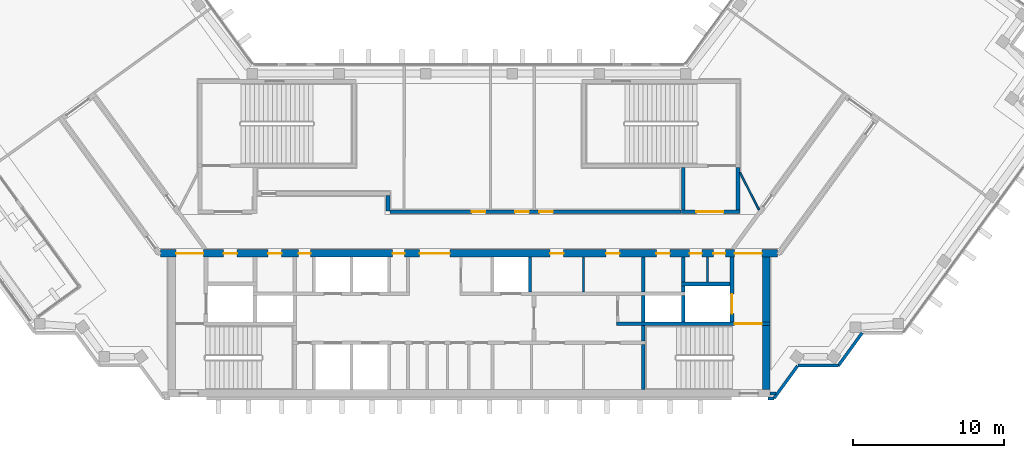
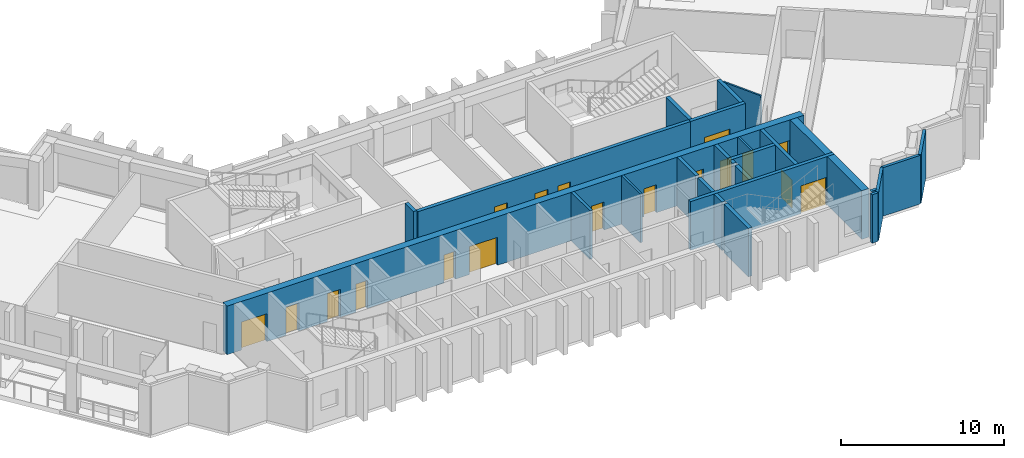
# One storey, part 7 of 10: 27 walls, 18 doors, 18 openings.
"""IFC4 building model written with IfcOpenShell, lengths in metres."""

from ifc_helpers import new_model, si_unit, direction, frame, frame_2d, origin, place, context, subcontext, project, spatial, rectangle, extrude, material, layer, layer_set, type_object, element, fill, save


model = new_model("IFC4")

# Units and contexts
model_context = context("Model", 3, precision=1e-05, world=origin(), true_north=direction((0.0, 1.0)))
body_context = subcontext(model_context, "Body", "Model", "MODEL_VIEW")
ifc_project = project(units=[si_unit("LENGTHUNIT", "METRE"), si_unit("AREAUNIT", "SQUARE_METRE"), si_unit("VOLUMEUNIT", "CUBIC_METRE"), si_unit("PLANEANGLEUNIT", "RADIAN"), si_unit("MASSUNIT", "GRAM", prefix="KILO")], contexts=[model_context])

# Site, building, storey
site_placement = place(None, origin())
site = spatial("IfcSite", under=ifc_project, at=site_placement, CompositionType="ELEMENT")
building_placement = place(site_placement, origin())
building = spatial("IfcBuilding", under=site, at=building_placement, Name="Quipu Civic Tower", CompositionType="ELEMENT")
storey_placement = place(building_placement, frame((0.0, 0.0, 261.0)))
storey = spatial("IfcBuildingStorey", under=building, at=storey_placement, Name="L61", CompositionType="ELEMENT", Elevation=261.0)

# Walls
ifc_material_1 = material(Name="Concrete C70/85", Category="concrete")
ifc_layer_1 = layer(ifc_material_1, 0.25)
ifc_layer_set_1 = layer_set([ifc_layer_1], Name="Concrete C70/85")
wall_type_1 = type_object("IfcWallType", Name="Core wall 250", PredefinedType="SHEAR", material=ifc_layer_set_1)
wall_1_placement = place(storey_placement, frame((11.574951171875, -10.5, 0.0), z_axis=(0.0, 0.0, 1.0), x_axis=(0.0, 1.0, 0.0)))
element("IfcWall", 1, at=wall_1_placement, inside=storey, type_object=wall_type_1, Name="Core wall", PredefinedType="SHEAR", context=body_context, shape_type="SweptSolid", body=[
    extrude(rectangle(XDim=3.0, YDim=0.25, at=frame_2d((1.5, 0.0))), origin(), (0.0, 0.0, 1.0), 3.64990234375),
])
wall_2_placement = place(storey_placement, frame((11.574951171875, -7.25, 0.0), z_axis=(0.0, 0.0, 1.0), x_axis=(0.0, 1.0, 0.0)))
element("IfcWall", 2, at=wall_2_placement, inside=storey, type_object=wall_type_1, Name="Core wall", PredefinedType="SHEAR", context=body_context, shape_type="SweptSolid", body=[
    extrude(rectangle(XDim=1.0, YDim=0.25, at=frame_2d((0.5, 0.0))), origin(), (0.0, 0.0, 1.0), 3.64990234375),
])

# Wall, opening, door
wall_3_placement = place(storey_placement, frame((20.0, -6.125, 0.0), z_axis=(0.0, 0.0, 1.0), x_axis=(-1.0, 0.0, 0.0)))
wall_3 = element("IfcWall", 3, at=wall_3_placement, inside=storey, type_object=wall_type_1, Name="Core wall", PredefinedType="SHEAR", context=body_context, shape_type="SweptSolid", body=[
    extrude(rectangle(XDim=10.199951171875, YDim=0.25, at=frame_2d((5.10009765625, 0.0))), origin(), (0.0, 0.0, 1.0), 3.64990234375),
])
opening_1_placement = place(wall_3_placement, frame((0.550048828125, 0.0, 0.0)))
opening_1 = element("IfcOpeningElement", 4, at=opening_1_placement, cuts=wall_3, Name="Opening CD-11", PredefinedType="OPENING", context=body_context, shape_type="SweptSolid", body=[
    extrude(rectangle(XDim=1.800048828125, YDim=2.10009765625, at=frame_2d((0.89990234375, 1.050048828125))), frame((0.0, 0.135009765625, 0.0), z_axis=(0.0, -1.0, 0.0), x_axis=(1.0, 0.0, 0.0)), (0.0, 0.0, 1.0), 0.27001953125),
])
ifc_material_2 = material(Name="Fire rated steel door", Category="steel")
door_type_1 = type_object("IfcDoorType", Name="Fire door FD90 double 1800 x 2100", OperationType="NOTDEFINED", PredefinedType="DOOR", material=ifc_material_2)
door_1_placement = place(opening_1_placement, origin())
door_1 = element("IfcDoor", 5, at=door_1_placement, inside=storey, type_object=door_type_1, Name="Door", OperationType="DOUBLE_DOOR_SINGLE_SWING", OverallHeight=2.10009765625, OverallWidth=1.800048828125, PredefinedType="DOOR", context=body_context, shape_type="SweptSolid", body=[
    extrude(rectangle(XDim=1.800048828125, YDim=2.10009765625, at=frame_2d((0.89990234375, 1.050048828125))), frame((0.0, 0.02490234375, 0.0), z_axis=(0.0, -1.0, 0.0), x_axis=(1.0, 0.0, 0.0)), (0.0, 0.0, 1.0), 0.050048828125),
])
fill(opening_1, door_1)

# Walls
for number, where, z_axis, x_axis, name in (
    (6, (11.574951171875, -6.0, 0.0), (0.0, 0.0, 1.0), (0.0, 1.0, 0.0), "Core wall"),
    (7, (14.22509765625, -6.0, 0.0), (0.0, 0.0, 1.0), (0.0, 1.0, 0.0), "Core wall"),
):
    element("IfcWall", number, at=place(storey_placement, frame(where, z_axis=z_axis, x_axis=x_axis)), inside=storey, type_object=wall_type_1, Name=name, PredefinedType="SHEAR", context=body_context, shape_type="SweptSolid", body=[
        extrude(rectangle(XDim=1.75, YDim=0.25, at=frame_2d((0.875, 0.0))), origin(), (0.0, 0.0, 1.0), 3.64990234375),
    ])

# Wall, opening, door
wall_4_placement = place(storey_placement, frame((17.47509765625, -6.0, 0.0), z_axis=(0.0, 0.0, 1.0), x_axis=(0.0, 1.0, 0.0)))
wall_4 = element("IfcWall", 8, at=wall_4_placement, inside=storey, type_object=wall_type_1, Name="Core wall", PredefinedType="SHEAR", context=body_context, shape_type="SweptSolid", body=[
    extrude(rectangle(XDim=4.300048828125, YDim=0.25, at=frame_2d((2.14990234375, 0.0))), origin(), (0.0, 0.0, 1.0), 3.64990234375),
])
opening_2_placement = place(wall_4_placement, frame((0.550048828125, 0.0, 0.0)))
opening_2 = element("IfcOpeningElement", 9, at=opening_2_placement, cuts=wall_4, Name="Opening LD-FF2", PredefinedType="OPENING", context=body_context, shape_type="SweptSolid", body=[
    extrude(rectangle(XDim=1.300048828125, YDim=2.10009765625, at=frame_2d((0.64990234375, 1.050048828125))), frame((0.0, 0.135009765625, 0.0), z_axis=(0.0, -1.0, 0.0), x_axis=(1.0, 0.0, 0.0)), (0.0, 0.0, 1.0), 0.27001953125),
])
ifc_material_3 = material(Name="Stainless steel", Category="steel")
door_type_2 = type_object("IfcDoorType", Name="Lift landing door 1300 x 2100", OperationType="DOUBLE_DOOR_SLIDING", PredefinedType="DOOR", material=ifc_material_3)
door_2_placement = place(opening_2_placement, origin())
door_2 = element("IfcDoor", 10, at=door_2_placement, inside=storey, type_object=door_type_2, Name="Landing door FF2", OperationType="DOUBLE_DOOR_SLIDING", OverallHeight=2.10009765625, OverallWidth=1.300048828125, PredefinedType="DOOR", context=body_context, shape_type="SweptSolid", body=[
    extrude(rectangle(XDim=1.300048828125, YDim=2.10009765625, at=frame_2d((0.64990234375, 1.050048828125))), frame((0.0, 0.02490234375, 0.0), z_axis=(0.0, -1.0, 0.0), x_axis=(1.0, 0.0, 0.0)), (0.0, 0.0, 1.0), 0.050048828125),
])
fill(opening_2, door_2)

# Walls
wall_5_placement = place(storey_placement, frame((11.574951171875, -4.0, 0.0), z_axis=(0.0, 0.0, 1.0), x_axis=(0.0, 1.0, 0.0)))
element("IfcWall", 11, at=wall_5_placement, inside=storey, type_object=wall_type_1, Name="Core wall", PredefinedType="SHEAR", context=body_context, shape_type="SweptSolid", body=[
    extrude(rectangle(XDim=2.300048828125, YDim=0.25, at=frame_2d((1.14990234375, 0.0))), origin(), (0.0, 0.0, 1.0), 3.64990234375),
])
wall_6_placement = place(storey_placement, frame((14.22509765625, -4.0, 0.0), z_axis=(0.0, 0.0, 1.0), x_axis=(0.0, 1.0, 0.0)))
element("IfcWall", 12, at=wall_6_placement, inside=storey, type_object=wall_type_1, Name="Core wall", PredefinedType="SHEAR", context=body_context, shape_type="SweptSolid", body=[
    extrude(rectangle(XDim=0.39990234375, YDim=0.25, at=frame_2d((0.199951171875, 0.0))), origin(), (0.0, 0.0, 1.0), 3.64990234375),
])
wall_7_placement = place(storey_placement, frame((14.10009765625, -3.47509765625, 0.0), z_axis=(0.0, 0.0, 1.0), x_axis=(1.0, 0.0, 0.0)))
element("IfcWall", 13, at=wall_7_placement, inside=storey, type_object=wall_type_1, Name="Core wall", PredefinedType="SHEAR", context=body_context, shape_type="SweptSolid", body=[
    extrude(rectangle(XDim=3.25, YDim=0.25, at=frame_2d((1.625, 0.0))), origin(), (0.0, 0.0, 1.0), 3.64990234375),
])
wall_8_placement = place(storey_placement, frame((14.22509765625, -3.35009765625, 0.0), z_axis=(0.0, 0.0, 1.0), x_axis=(0.0, 1.0, 0.0)))
element("IfcWall", 14, at=wall_8_placement, inside=storey, type_object=wall_type_1, Name="Core wall", PredefinedType="SHEAR", context=body_context, shape_type="SweptSolid", body=[
    extrude(rectangle(XDim=1.650146484375, YDim=0.25, at=frame_2d((0.8251953125, 0.0))), origin(), (0.0, 0.0, 1.0), 3.64990234375),
])

# Wall, opening, door
wall_9_placement = place(storey_placement, frame((14.10009765625, 1.324951171875, 0.0), z_axis=(0.0, 0.0, 1.0), x_axis=(1.0, 0.0, 0.0)))
wall_9 = element("IfcWall", 15, at=wall_9_placement, inside=storey, type_object=wall_type_1, Name="Core wall", PredefinedType="SHEAR", context=body_context, shape_type="SweptSolid", body=[
    extrude(rectangle(XDim=3.89990234375, YDim=0.25, at=frame_2d((1.949951171875, 0.0))), origin(), (0.0, 0.0, 1.0), 3.64990234375),
])
opening_3_placement = place(wall_9_placement, frame((1.0, 0.0, 0.0)))
opening_3 = element("IfcOpeningElement", 16, at=opening_3_placement, cuts=wall_9, Name="Opening CD-29", PredefinedType="OPENING", context=body_context, shape_type="SweptSolid", body=[
    extrude(rectangle(XDim=1.800048828125, YDim=2.10009765625, at=frame_2d((0.89990234375, 1.050048828125))), frame((0.0, 0.135009765625, 0.0), z_axis=(0.0, -1.0, 0.0), x_axis=(1.0, 0.0, 0.0)), (0.0, 0.0, 1.0), 0.27001953125),
])
door_3_placement = place(opening_3_placement, origin())
door_3 = element("IfcDoor", 17, at=door_3_placement, inside=storey, type_object=door_type_1, Name="Lobby door", OperationType="DOUBLE_DOOR_SINGLE_SWING", OverallHeight=2.10009765625, OverallWidth=1.800048828125, PredefinedType="DOOR", context=body_context, shape_type="SweptSolid", body=[
    extrude(rectangle(XDim=1.800048828125, YDim=2.10009765625, at=frame_2d((0.89990234375, 1.050048828125))), frame((0.0, 0.02490234375, 0.0), z_axis=(0.0, -1.0, 0.0), x_axis=(1.0, 0.0, 0.0)), (0.0, 0.0, 1.0), 0.050048828125),
])
fill(opening_3, door_3)

# Walls
for number, where, z_axis, x_axis, name in (
    (18, (14.22509765625, 1.449951171875, 0.0), (0.0, 0.0, 1.0), (0.0, 1.0, 0.0), "Core wall"),
    (19, (17.875, 1.449951171875, 0.0), (0.0, 0.0, 1.0), (0.0, 1.0, 0.0), "Core wall"),
):
    element("IfcWall", number, at=place(storey_placement, frame(where, z_axis=z_axis, x_axis=x_axis)), inside=storey, type_object=wall_type_1, Name=name, PredefinedType="SHEAR", context=body_context, shape_type="SweptSolid", body=[
        extrude(rectangle(XDim=2.800048828125, YDim=0.25, at=frame_2d((1.39990234375, 0.0))), origin(), (0.0, 0.0, 1.0), 3.64990234375),
    ])
ifc_material_4 = material(Name="Concrete C70/85", Category="concrete")
ifc_layer_2 = layer(ifc_material_4, 0.5)
ifc_layer_set_2 = layer_set([ifc_layer_2], Name="Concrete C70/85")
wall_type_2 = type_object("IfcWallType", Name="Core wall 500", PredefinedType="SHEAR", material=ifc_layer_set_2)
wall_10_placement = place(storey_placement, frame((19.75, -10.5, 0.0), z_axis=(0.0, 0.0, 1.0), x_axis=(0.0, 1.0, 0.0)))
element("IfcWall", 20, at=wall_10_placement, inside=storey, type_object=wall_type_2, Name="Core wall", PredefinedType="SHEAR", context=body_context, shape_type="SweptSolid", body=[
    extrude(rectangle(XDim=4.25, YDim=0.5, at=frame_2d((2.125, 0.0))), origin(), (0.0, 0.0, 1.0), 3.64990234375),
])
wall_11_placement = place(storey_placement, frame((19.75, -6.0, 0.0), z_axis=(0.0, 0.0, 1.0), x_axis=(0.0, 1.0, 0.0)))
element("IfcWall", 21, at=wall_11_placement, inside=storey, type_object=wall_type_2, Name="Core wall", PredefinedType="SHEAR", context=body_context, shape_type="SweptSolid", body=[
    extrude(rectangle(XDim=4.300048828125, YDim=0.5, at=frame_2d((2.14990234375, 0.0))), origin(), (0.0, 0.0, 1.0), 3.64990234375),
])

# Wall, openings, doors
wall_12_placement = place(storey_placement, frame((20.489990234375, -1.449951171875, 0.0), z_axis=(0.0, 0.0, 1.0), x_axis=(-1.0, 0.0, 0.0)))
wall_12 = element("IfcWall", 22, at=wall_12_placement, inside=storey, type_object=wall_type_2, Name="Core wall", PredefinedType="SHEAR", context=body_context, shape_type="SweptSolid", body=[
    extrude(rectangle(XDim=40.97998046875, YDim=0.5, at=frame_2d((20.489990234375, 0.0))), origin(), (0.0, 0.0, 1.0), 3.64990234375),
])
opening_4_placement = place(wall_12_placement, frame((38.139892578125, 0.0, 0.0)))
opening_4 = element("IfcOpeningElement", 23, at=opening_4_placement, cuts=wall_12, Name="Opening CD-15", PredefinedType="OPENING", context=body_context, shape_type="SweptSolid", body=[
    extrude(rectangle(XDim=1.800048828125, YDim=2.10009765625, at=frame_2d((0.89990234375, 1.050048828125))), frame((0.0, 0.260009765625, 0.0), z_axis=(0.0, -1.0, 0.0), x_axis=(1.0, 0.0, 0.0)), (0.0, 0.0, 1.0), 0.52001953125),
])
opening_5_placement = place(wall_12_placement, frame((35.889892578125, 0.0, 0.0)))
opening_5 = element("IfcOpeningElement", 24, at=opening_5_placement, cuts=wall_12, Name="Opening CD-16", PredefinedType="OPENING", context=body_context, shape_type="SweptSolid", body=[
    extrude(rectangle(XDim=0.89990234375, YDim=2.10009765625, at=frame_2d((0.449951171875, 1.050048828125))), frame((0.0, 0.260009765625, 0.0), z_axis=(0.0, -1.0, 0.0), x_axis=(1.0, 0.0, 0.0)), (0.0, 0.0, 1.0), 0.52001953125),
])
opening_6_placement = place(wall_12_placement, frame((32.93994140625, 0.0, 0.0)))
opening_6 = element("IfcOpeningElement", 25, at=opening_6_placement, cuts=wall_12, Name="Opening CD-17", PredefinedType="OPENING", context=body_context, shape_type="SweptSolid", body=[
    extrude(rectangle(XDim=0.89990234375, YDim=2.10009765625, at=frame_2d((0.449951171875, 1.050048828125))), frame((0.0, 0.260009765625, 0.0), z_axis=(0.0, -1.0, 0.0), x_axis=(1.0, 0.0, 0.0)), (0.0, 0.0, 1.0), 0.52001953125),
])
opening_7_placement = place(wall_12_placement, frame((31.014892578125, 0.0, 0.0)))
opening_7 = element("IfcOpeningElement", 26, at=opening_7_placement, cuts=wall_12, Name="Opening CD-18", PredefinedType="OPENING", context=body_context, shape_type="SweptSolid", body=[
    extrude(rectangle(XDim=0.800048828125, YDim=2.10009765625, at=frame_2d((0.39990234375, 1.050048828125))), frame((0.0, 0.260009765625, 0.0), z_axis=(0.0, -1.0, 0.0), x_axis=(1.0, 0.0, 0.0)), (0.0, 0.0, 1.0), 0.52001953125),
])
opening_8_placement = place(wall_12_placement, frame((24.764892578125, 0.0, 0.0)))
opening_8 = element("IfcOpeningElement", 27, at=opening_8_placement, cuts=wall_12, Name="Opening CD-19", PredefinedType="OPENING", context=body_context, shape_type="SweptSolid", body=[
    extrude(rectangle(XDim=0.800048828125, YDim=2.10009765625, at=frame_2d((0.39990234375, 1.050048828125))), frame((0.0, 0.260009765625, 0.0), z_axis=(0.0, -1.0, 0.0), x_axis=(1.0, 0.0, 0.0)), (0.0, 0.0, 1.0), 0.52001953125),
])
opening_9_placement = place(wall_12_placement, frame((21.764892578125, 0.0, 0.0)))
opening_9 = element("IfcOpeningElement", 28, at=opening_9_placement, cuts=wall_12, Name="Opening CD-20", PredefinedType="OPENING", context=body_context, shape_type="SweptSolid", body=[
    extrude(rectangle(XDim=2.0, YDim=2.10009765625, at=frame_2d((1.0, 1.050048828125))), frame((0.0, 0.260009765625, 0.0), z_axis=(0.0, -1.0, 0.0), x_axis=(1.0, 0.0, 0.0)), (0.0, 0.0, 1.0), 0.52001953125),
])
opening_10_placement = place(wall_12_placement, frame((14.202392578125, 0.0, 0.0)))
opening_10 = element("IfcOpeningElement", 29, at=opening_10_placement, cuts=wall_12, Name="Opening CD-21", PredefinedType="OPENING", context=body_context, shape_type="SweptSolid", body=[
    extrude(rectangle(XDim=0.89990234375, YDim=2.10009765625, at=frame_2d((0.449951171875, 1.050048828125))), frame((0.0, 0.260009765625, 0.0), z_axis=(0.0, -1.0, 0.0), x_axis=(1.0, 0.0, 0.0)), (0.0, 0.0, 1.0), 0.52001953125),
])
opening_11_placement = place(wall_12_placement, frame((10.4775390625, 0.0, 0.0)))
opening_11 = element("IfcOpeningElement", 30, at=opening_11_placement, cuts=wall_12, Name="Opening CD-22", PredefinedType="OPENING", context=body_context, shape_type="SweptSolid", body=[
    extrude(rectangle(XDim=0.89990234375, YDim=2.10009765625, at=frame_2d((0.449951171875, 1.050048828125))), frame((0.0, 0.260009765625, 0.0), z_axis=(0.0, -1.0, 0.0), x_axis=(1.0, 0.0, 0.0)), (0.0, 0.0, 1.0), 0.52001953125),
])
opening_12_placement = place(wall_12_placement, frame((7.139892578125, 0.0, 0.0)))
opening_12 = element("IfcOpeningElement", 31, at=opening_12_placement, cuts=wall_12, Name="Opening CD-23", PredefinedType="OPENING", context=body_context, shape_type="SweptSolid", body=[
    extrude(rectangle(XDim=0.89990234375, YDim=2.10009765625, at=frame_2d((0.449951171875, 1.050048828125))), frame((0.0, 0.260009765625, 0.0), z_axis=(0.0, -1.0, 0.0), x_axis=(1.0, 0.0, 0.0)), (0.0, 0.0, 1.0), 0.52001953125),
])
opening_13_placement = place(wall_12_placement, frame((5.027587890625, 0.0, 0.0)))
opening_13 = element("IfcOpeningElement", 32, at=opening_13_placement, cuts=wall_12, Name="Opening CD-24", PredefinedType="OPENING", context=body_context, shape_type="SweptSolid", body=[
    extrude(rectangle(XDim=0.800048828125, YDim=2.10009765625, at=frame_2d((0.39990234375, 1.050048828125))), frame((0.0, 0.260009765625, 0.0), z_axis=(0.0, -1.0, 0.0), x_axis=(1.0, 0.0, 0.0)), (0.0, 0.0, 1.0), 0.52001953125),
])
opening_14_placement = place(wall_12_placement, frame((3.452392578125, 0.0, 0.0)))
opening_14 = element("IfcOpeningElement", 33, at=opening_14_placement, cuts=wall_12, Name="Opening CD-25", PredefinedType="OPENING", context=body_context, shape_type="SweptSolid", body=[
    extrude(rectangle(XDim=0.800048828125, YDim=2.10009765625, at=frame_2d((0.39990234375, 1.050048828125))), frame((0.0, 0.260009765625, 0.0), z_axis=(0.0, -1.0, 0.0), x_axis=(1.0, 0.0, 0.0)), (0.0, 0.0, 1.0), 0.52001953125),
])
opening_15_placement = place(wall_12_placement, frame((1.0400390625, 0.0, 0.0)))
opening_15 = element("IfcOpeningElement", 34, at=opening_15_placement, cuts=wall_12, Name="Opening CD-26", PredefinedType="OPENING", context=body_context, shape_type="SweptSolid", body=[
    extrude(rectangle(XDim=1.800048828125, YDim=2.10009765625, at=frame_2d((0.89990234375, 1.050048828125))), frame((0.0, 0.260009765625, 0.0), z_axis=(0.0, -1.0, 0.0), x_axis=(1.0, 0.0, 0.0)), (0.0, 0.0, 1.0), 0.52001953125),
])
ifc_material_5 = material(Name="Fire rated steel door", Category="steel")
door_type_3 = type_object("IfcDoorType", Name="Fire door FD60 800 x 2100", OperationType="NOTDEFINED", PredefinedType="DOOR", material=ifc_material_5)
door_4_placement = place(opening_7_placement, origin())
door_4 = element("IfcDoor", 35, at=door_4_placement, inside=storey, type_object=door_type_3, Name="Door", OperationType="SINGLE_SWING_RIGHT", OverallHeight=2.10009765625, OverallWidth=0.800048828125, PredefinedType="DOOR", context=body_context, shape_type="SweptSolid", body=[
    extrude(rectangle(XDim=0.800048828125, YDim=2.10009765625, at=frame_2d((0.39990234375, 1.050048828125))), frame((0.0, 0.02490234375, 0.0), z_axis=(0.0, -1.0, 0.0), x_axis=(1.0, 0.0, 0.0)), (0.0, 0.0, 1.0), 0.050048828125),
])
fill(opening_7, door_4)
door_5_placement = place(opening_8_placement, origin())
door_5 = element("IfcDoor", 36, at=door_5_placement, inside=storey, type_object=door_type_3, Name="Door", OperationType="SINGLE_SWING_RIGHT", OverallHeight=2.10009765625, OverallWidth=0.800048828125, PredefinedType="DOOR", context=body_context, shape_type="SweptSolid", body=[
    extrude(rectangle(XDim=0.800048828125, YDim=2.10009765625, at=frame_2d((0.39990234375, 1.050048828125))), frame((0.0, 0.02490234375, 0.0), z_axis=(0.0, -1.0, 0.0), x_axis=(1.0, 0.0, 0.0)), (0.0, 0.0, 1.0), 0.050048828125),
])
fill(opening_8, door_5)
door_6_placement = place(opening_13_placement, origin())
door_6 = element("IfcDoor", 37, at=door_6_placement, inside=storey, type_object=door_type_3, Name="Door", OperationType="SINGLE_SWING_LEFT", OverallHeight=2.10009765625, OverallWidth=0.800048828125, PredefinedType="DOOR", context=body_context, shape_type="SweptSolid", body=[
    extrude(rectangle(XDim=0.800048828125, YDim=2.10009765625, at=frame_2d((0.39990234375, 1.050048828125))), frame((0.0, 0.02490234375, 0.0), z_axis=(0.0, -1.0, 0.0), x_axis=(1.0, 0.0, 0.0)), (0.0, 0.0, 1.0), 0.050048828125),
])
fill(opening_13, door_6)
door_7_placement = place(opening_14_placement, origin())
door_7 = element("IfcDoor", 38, at=door_7_placement, inside=storey, type_object=door_type_3, Name="Door", OperationType="SINGLE_SWING_LEFT", OverallHeight=2.10009765625, OverallWidth=0.800048828125, PredefinedType="DOOR", context=body_context, shape_type="SweptSolid", body=[
    extrude(rectangle(XDim=0.800048828125, YDim=2.10009765625, at=frame_2d((0.39990234375, 1.050048828125))), frame((0.0, 0.02490234375, 0.0), z_axis=(0.0, -1.0, 0.0), x_axis=(1.0, 0.0, 0.0)), (0.0, 0.0, 1.0), 0.050048828125),
])
fill(opening_14, door_7)
ifc_material_6 = material(Name="Fire rated steel door", Category="steel")
door_type_4 = type_object("IfcDoorType", Name="Fire door FD60 900 x 2100", OperationType="NOTDEFINED", PredefinedType="DOOR", material=ifc_material_6)
door_8_placement = place(opening_5_placement, origin())
door_8 = element("IfcDoor", 39, at=door_8_placement, inside=storey, type_object=door_type_4, Name="Door", OperationType="SINGLE_SWING_RIGHT", OverallHeight=2.10009765625, OverallWidth=0.89990234375, PredefinedType="DOOR", context=body_context, shape_type="SweptSolid", body=[
    extrude(rectangle(XDim=0.89990234375, YDim=2.10009765625, at=frame_2d((0.449951171875, 1.050048828125))), frame((0.0, 0.02490234375, 0.0), z_axis=(0.0, -1.0, 0.0), x_axis=(1.0, 0.0, 0.0)), (0.0, 0.0, 1.0), 0.050048828125),
])
fill(opening_5, door_8)
door_9_placement = place(opening_6_placement, origin())
door_9 = element("IfcDoor", 40, at=door_9_placement, inside=storey, type_object=door_type_4, Name="Riser door", OperationType="SINGLE_SWING_RIGHT", OverallHeight=2.10009765625, OverallWidth=0.89990234375, PredefinedType="DOOR", context=body_context, shape_type="SweptSolid", body=[
    extrude(rectangle(XDim=0.89990234375, YDim=2.10009765625, at=frame_2d((0.449951171875, 1.050048828125))), frame((0.0, 0.02490234375, 0.0), z_axis=(0.0, -1.0, 0.0), x_axis=(1.0, 0.0, 0.0)), (0.0, 0.0, 1.0), 0.050048828125),
])
fill(opening_6, door_9)
door_10_placement = place(opening_10_placement, origin())
door_10 = element("IfcDoor", 41, at=door_10_placement, inside=storey, type_object=door_type_4, Name="Door", OperationType="SINGLE_SWING_LEFT", OverallHeight=2.10009765625, OverallWidth=0.89990234375, PredefinedType="DOOR", context=body_context, shape_type="SweptSolid", body=[
    extrude(rectangle(XDim=0.89990234375, YDim=2.10009765625, at=frame_2d((0.449951171875, 1.050048828125))), frame((0.0, 0.02490234375, 0.0), z_axis=(0.0, -1.0, 0.0), x_axis=(1.0, 0.0, 0.0)), (0.0, 0.0, 1.0), 0.050048828125),
])
fill(opening_10, door_10)
door_11_placement = place(opening_11_placement, origin())
door_11 = element("IfcDoor", 42, at=door_11_placement, inside=storey, type_object=door_type_4, Name="Door", OperationType="SINGLE_SWING_LEFT", OverallHeight=2.10009765625, OverallWidth=0.89990234375, PredefinedType="DOOR", context=body_context, shape_type="SweptSolid", body=[
    extrude(rectangle(XDim=0.89990234375, YDim=2.10009765625, at=frame_2d((0.449951171875, 1.050048828125))), frame((0.0, 0.02490234375, 0.0), z_axis=(0.0, -1.0, 0.0), x_axis=(1.0, 0.0, 0.0)), (0.0, 0.0, 1.0), 0.050048828125),
])
fill(opening_11, door_11)
door_12_placement = place(opening_12_placement, origin())
door_12 = element("IfcDoor", 43, at=door_12_placement, inside=storey, type_object=door_type_4, Name="Riser door", OperationType="SINGLE_SWING_LEFT", OverallHeight=2.10009765625, OverallWidth=0.89990234375, PredefinedType="DOOR", context=body_context, shape_type="SweptSolid", body=[
    extrude(rectangle(XDim=0.89990234375, YDim=2.10009765625, at=frame_2d((0.449951171875, 1.050048828125))), frame((0.0, 0.02490234375, 0.0), z_axis=(0.0, -1.0, 0.0), x_axis=(1.0, 0.0, 0.0)), (0.0, 0.0, 1.0), 0.050048828125),
])
fill(opening_12, door_12)
door_13_placement = place(opening_4_placement, origin())
door_13 = element("IfcDoor", 44, at=door_13_placement, inside=storey, type_object=door_type_1, Name="Lobby door", OperationType="DOUBLE_DOOR_SINGLE_SWING", OverallHeight=2.10009765625, OverallWidth=1.800048828125, PredefinedType="DOOR", context=body_context, shape_type="SweptSolid", body=[
    extrude(rectangle(XDim=1.800048828125, YDim=2.10009765625, at=frame_2d((0.89990234375, 1.050048828125))), frame((0.0, 0.02490234375, 0.0), z_axis=(0.0, -1.0, 0.0), x_axis=(1.0, 0.0, 0.0)), (0.0, 0.0, 1.0), 0.050048828125),
])
fill(opening_4, door_13)
door_14_placement = place(opening_15_placement, origin())
door_14 = element("IfcDoor", 45, at=door_14_placement, inside=storey, type_object=door_type_1, Name="Lobby door", OperationType="DOUBLE_DOOR_SINGLE_SWING", OverallHeight=2.10009765625, OverallWidth=1.800048828125, PredefinedType="DOOR", context=body_context, shape_type="SweptSolid", body=[
    extrude(rectangle(XDim=1.800048828125, YDim=2.10009765625, at=frame_2d((0.89990234375, 1.050048828125))), frame((0.0, 0.02490234375, 0.0), z_axis=(0.0, -1.0, 0.0), x_axis=(1.0, 0.0, 0.0)), (0.0, 0.0, 1.0), 0.050048828125),
])
fill(opening_15, door_14)
ifc_material_7 = material(Name="Fire rated steel door", Category="steel")
door_type_5 = type_object("IfcDoorType", Name="Fire door FD90 double 2000 x 2100", OperationType="NOTDEFINED", PredefinedType="DOOR", material=ifc_material_7)
door_15_placement = place(opening_9_placement, origin())
door_15 = element("IfcDoor", 46, at=door_15_placement, inside=storey, type_object=door_type_5, Name="Lobby door", OperationType="DOUBLE_DOOR_SINGLE_SWING", OverallHeight=2.10009765625, OverallWidth=2.0, PredefinedType="DOOR", context=body_context, shape_type="SweptSolid", body=[
    extrude(rectangle(XDim=2.0, YDim=2.10009765625, at=frame_2d((1.0, 1.050048828125))), frame((0.0, 0.02490234375, 0.0), z_axis=(0.0, -1.0, 0.0), x_axis=(1.0, 0.0, 0.0)), (0.0, 0.0, 1.0), 0.050048828125),
])
fill(opening_9, door_15)

# Wall
ifc_material_8 = material(Name="Concrete C50/60", Category="concrete")
ifc_layer_3 = layer(ifc_material_8, 0.25)
ifc_layer_set_3 = layer_set([ifc_layer_3], Name="Concrete C50/60")
wall_type_3 = type_object("IfcWallType", Name="Corridor wall 250 concrete", PredefinedType="SOLIDWALL", material=ifc_layer_set_3)
wall_13_placement = place(storey_placement, frame((-5.375, 2.39990234375, 0.0), z_axis=(0.0, 0.0, 1.0), x_axis=(0.0, -1.0, 0.0)))
element("IfcWall", 47, at=wall_13_placement, inside=storey, type_object=wall_type_3, Name="Corridor wall C08", PredefinedType="SOLIDWALL", context=body_context, shape_type="SweptSolid", body=[
    extrude(rectangle(XDim=1.041259765625, YDim=0.25, at=frame_2d((0.5205078125, 0.0))), origin(), (0.0, 0.0, 1.0), 3.64990234375),
])

# Wall, openings, doors
wall_14_placement = place(storey_placement, frame((-5.246337890625, 1.324951171875, 0.0), z_axis=(0.0, 0.0, 1.0), x_axis=(1.0, 0.0, 0.0)))
wall_14 = element("IfcWall", 48, at=wall_14_placement, inside=storey, type_object=wall_type_3, Name="Corridor wall C09", PredefinedType="SOLIDWALL", context=body_context, shape_type="SweptSolid", body=[
    extrude(rectangle(XDim=19.33642578125, YDim=0.25, at=frame_2d((9.668212890625, 0.0))), origin(), (0.0, 0.0, 1.0), 3.64990234375),
])
opening_16_placement = place(wall_14_placement, frame((5.435302734375, 0.0, 0.0)))
opening_16 = element("IfcOpeningElement", 49, at=opening_16_placement, cuts=wall_14, Name="Opening D005", PredefinedType="OPENING", context=body_context, shape_type="SweptSolid", body=[
    extrude(rectangle(XDim=0.89990234375, YDim=2.10009765625, at=frame_2d((0.449951171875, 1.050048828125))), frame((0.0, 0.135009765625, 0.0), z_axis=(0.0, -1.0, 0.0), x_axis=(1.0, 0.0, 0.0)), (0.0, 0.0, 1.0), 0.27001953125),
])
opening_17_placement = place(wall_14_placement, frame((9.915283203125, 0.0, 0.0)))
opening_17 = element("IfcOpeningElement", 50, at=opening_17_placement, cuts=wall_14, Name="Opening D007", PredefinedType="OPENING", context=body_context, shape_type="SweptSolid", body=[
    extrude(rectangle(XDim=0.89990234375, YDim=2.10009765625, at=frame_2d((0.449951171875, 1.050048828125))), frame((0.0, 0.135009765625, 0.0), z_axis=(0.0, -1.0, 0.0), x_axis=(1.0, 0.0, 0.0)), (0.0, 0.0, 1.0), 0.27001953125),
])
opening_18_placement = place(wall_14_placement, frame((8.315185546875, 0.0, 0.0)))
opening_18 = element("IfcOpeningElement", 51, at=opening_18_placement, cuts=wall_14, Name="Opening D006", PredefinedType="OPENING", context=body_context, shape_type="SweptSolid", body=[
    extrude(rectangle(XDim=0.89990234375, YDim=2.10009765625, at=frame_2d((0.449951171875, 1.050048828125))), frame((0.0, 0.135009765625, 0.0), z_axis=(0.0, -1.0, 0.0), x_axis=(1.0, 0.0, 0.0)), (0.0, 0.0, 1.0), 0.27001953125),
])
ifc_material_9 = material(Name="Fire rated timber door set with metal frame", Category="wood")
door_type_6 = type_object("IfcDoorType", Name="Single door 900 x 2100 FD60", OperationType="NOTDEFINED", PredefinedType="DOOR", material=ifc_material_9)
door_16_placement = place(opening_16_placement, origin())
door_16 = element("IfcDoor", 52, at=door_16_placement, inside=storey, type_object=door_type_6, Name="Door D005", OperationType="SINGLE_SWING_RIGHT", OverallHeight=2.10009765625, OverallWidth=0.89990234375, PredefinedType="DOOR", context=body_context, shape_type="SweptSolid", body=[
    extrude(rectangle(XDim=0.89990234375, YDim=2.10009765625, at=frame_2d((0.449951171875, 1.050048828125))), frame((0.0, 0.02490234375, 0.0), z_axis=(0.0, -1.0, 0.0), x_axis=(1.0, 0.0, 0.0)), (0.0, 0.0, 1.0), 0.050048828125),
])
fill(opening_16, door_16)
door_17_placement = place(opening_17_placement, origin())
door_17 = element("IfcDoor", 53, at=door_17_placement, inside=storey, type_object=door_type_6, Name="Door D007", OperationType="SINGLE_SWING_LEFT", OverallHeight=2.10009765625, OverallWidth=0.89990234375, PredefinedType="DOOR", context=body_context, shape_type="SweptSolid", body=[
    extrude(rectangle(XDim=0.89990234375, YDim=2.10009765625, at=frame_2d((0.449951171875, 1.050048828125))), frame((0.0, 0.02490234375, 0.0), z_axis=(0.0, -1.0, 0.0), x_axis=(1.0, 0.0, 0.0)), (0.0, 0.0, 1.0), 0.050048828125),
])
fill(opening_17, door_17)
door_18_placement = place(opening_18_placement, origin())
door_18 = element("IfcDoor", 54, at=door_18_placement, inside=storey, type_object=door_type_6, Name="Door D006", OperationType="SINGLE_SWING_RIGHT", OverallHeight=2.10009765625, OverallWidth=0.89990234375, PredefinedType="DOOR", context=body_context, shape_type="SweptSolid", body=[
    extrude(rectangle(XDim=0.89990234375, YDim=2.10009765625, at=frame_2d((0.449951171875, 1.050048828125))), frame((0.0, 0.02490234375, 0.0), z_axis=(0.0, -1.0, 0.0), x_axis=(1.0, 0.0, 0.0)), (0.0, 0.0, 1.0), 0.050048828125),
])
fill(opening_18, door_18)

# Walls
ifc_material_10 = material(Name="Gypsum plasterboard on light gauge framing")
ifc_layer_4 = layer(ifc_material_10, 0.1201171875)
ifc_layer_set_4 = layer_set([ifc_layer_4], Name="Gypsum plasterboard on light gauge framing")
wall_type_4 = type_object("IfcWallType", Name="Partition 120 plasterboard", PredefinedType="PARTITIONING", material=ifc_layer_set_4)
wall_15_placement = place(storey_placement, frame((18.0, 3.925048828125, 0.0), z_axis=(0.0, 0.0, 1.0), x_axis=(0.453950796792, -0.891026752736, 0.0)))
element("IfcWall", 55, at=wall_15_placement, inside=storey, type_object=wall_type_4, Name="Partition P08", PredefinedType="PARTITIONING", context=body_context, shape_type="SweptSolid", body=[
    extrude(rectangle(XDim=2.77783203125, YDim=0.1201171875, at=frame_2d((1.388916015625, 0.0))), origin(), (0.0, 0.0, 1.0), 3.64990234375),
])
ifc_material_11 = material(Name="Gypsum board partition")
ifc_layer_5 = layer(ifc_material_11, 0.14990234375)
ifc_layer_set_5 = layer_set([ifc_layer_5], Name="Gypsum board partition")
wall_type_5 = type_object("IfcWallType", Name="Partition 150", PredefinedType="PARTITIONING", material=ifc_layer_set_5)
wall_16_placement = place(storey_placement, frame((7.60009765625, -4.0, 0.0), z_axis=(0.0, 0.0, 1.0), x_axis=(0.0, 1.0, 0.0)))
element("IfcWall", 56, at=wall_16_placement, inside=storey, type_object=wall_type_5, Name="Partition", PredefinedType="PARTITIONING", context=body_context, shape_type="SweptSolid", body=[
    extrude(rectangle(XDim=2.300048828125, YDim=0.14990234375, at=frame_2d((1.14990234375, 0.0))), origin(), (0.0, 0.0, 1.0), 3.64990234375),
])
wall_17_placement = place(storey_placement, frame((15.85009765625, -3.35009765625, 0.0), z_axis=(0.0, 0.0, 1.0), x_axis=(0.0, 1.0, 0.0)))
element("IfcWall", 57, at=wall_17_placement, inside=storey, type_object=wall_type_5, Name="Partition", PredefinedType="PARTITIONING", context=body_context, shape_type="SweptSolid", body=[
    extrude(rectangle(XDim=1.650146484375, YDim=0.14990234375, at=frame_2d((0.8251953125, 0.0))), origin(), (0.0, 0.0, 1.0), 3.64990234375),
])
ifc_material_12 = material(Name="Precast concrete C40/50", Category="concrete")
wall_type_6 = type_object("IfcWallType", Name="Precast cladding wall", PredefinedType="SOLIDWALL", material=ifc_material_12)
wall_18_placement = place(storey_placement, frame((19.85009765625, -11.087890625, 0.0), z_axis=(0.0, 0.0, 1.0), x_axis=(1.0, 0.0, 0.0)))
element("IfcWall", 58, at=wall_18_placement, inside=storey, type_object=wall_type_6, Name="Precast cladding wall L61 P05", PredefinedType="SOLIDWALL", context=body_context, shape_type="SweptSolid", body=[
    extrude(rectangle(XDim=0.40576171875, YDim=0.199951171875, at=frame_2d((0.202880859375, 0.0))), origin(), (0.0, 0.0, 1.0), 3.64990234375),
])
wall_19_placement = place(storey_placement, frame((20.253173828125, -11.083251953125, 0.0), z_axis=(0.0, 0.0, 1.0), x_axis=(0.587766567315, 0.809030569476, 0.0)))
element("IfcWall", 59, at=wall_19_placement, inside=storey, type_object=wall_type_6, Name="Precast cladding wall L61 P06", PredefinedType="SOLIDWALL", context=body_context, shape_type="SweptSolid", body=[
    extrude(rectangle(XDim=2.687744140625, YDim=0.199951171875, at=frame_2d((1.34375, 0.0))), origin(), (0.0, 0.0, 1.0), 3.64990234375),
])
wall_20_placement = place(storey_placement, frame((21.8427734375, -8.90380859375, 0.0), z_axis=(0.0, 0.0, 1.0), x_axis=(1.0, 0.0, 0.0)))
element("IfcWall", 60, at=wall_20_placement, inside=storey, type_object=wall_type_6, Name="Precast cladding wall L61 P07", PredefinedType="SOLIDWALL", context=body_context, shape_type="SweptSolid", body=[
    extrude(rectangle(XDim=2.699951171875, YDim=0.199951171875, at=frame_2d((1.35009765625, 0.0))), origin(), (0.0, 0.0, 1.0), 3.64990234375),
])
wall_21_placement = place(storey_placement, frame((24.533203125, -8.90869140625, 0.0), z_axis=(0.0, 0.0, 1.0), x_axis=(0.587720002413, 0.809064397168, 0.0)))
element("IfcWall", 61, at=wall_21_placement, inside=storey, type_object=wall_type_6, Name="Precast cladding wall L61 P08", PredefinedType="SOLIDWALL", context=body_context, shape_type="SweptSolid", body=[
    extrude(rectangle(XDim=2.7001953125, YDim=0.199951171875, at=frame_2d((1.35009765625, 0.0))), origin(), (0.0, 0.0, 1.0), 3.64990234375),
])
wall_22_placement = place(storey_placement, frame((19.97998046875, -10.75, 0.0), z_axis=(0.0, 0.0, 1.0), x_axis=(1.0, 0.0, 0.0)))
element("IfcWall", 62, at=wall_22_placement, inside=storey, type_object=wall_type_6, Name="Precast cladding return L61 E", PredefinedType="SOLIDWALL", context=body_context, shape_type="SweptSolid", body=[
    extrude(rectangle(XDim=0.41650390625, YDim=0.199951171875, at=frame_2d((0.208251953125, 0.0))), origin(), (0.0, 0.0, 1.0), 3.64990234375),
])
ifc_material_13 = material(Name="Concrete C40/50", Category="concrete")
ifc_layer_6 = layer(ifc_material_13, 0.199951171875)
ifc_layer_set_6 = layer_set([ifc_layer_6], Name="Concrete C40/50")
wall_type_7 = type_object("IfcWallType", Name="Shaft wall 200", PredefinedType="SOLIDWALL", material=ifc_layer_set_6)
wall_23_placement = place(storey_placement, frame((4.050048828125, -4.0, 0.0), z_axis=(0.0, 0.0, 1.0), x_axis=(0.0, 1.0, 0.0)))
element("IfcWall", 63, at=wall_23_placement, inside=storey, type_object=wall_type_7, Name="Shaft wall", PredefinedType="SOLIDWALL", context=body_context, shape_type="SweptSolid", body=[
    extrude(rectangle(XDim=2.300048828125, YDim=0.199951171875, at=frame_2d((1.14990234375, 0.0))), origin(), (0.0, 0.0, 1.0), 3.64990234375),
])

save(model, "model.ifc")
